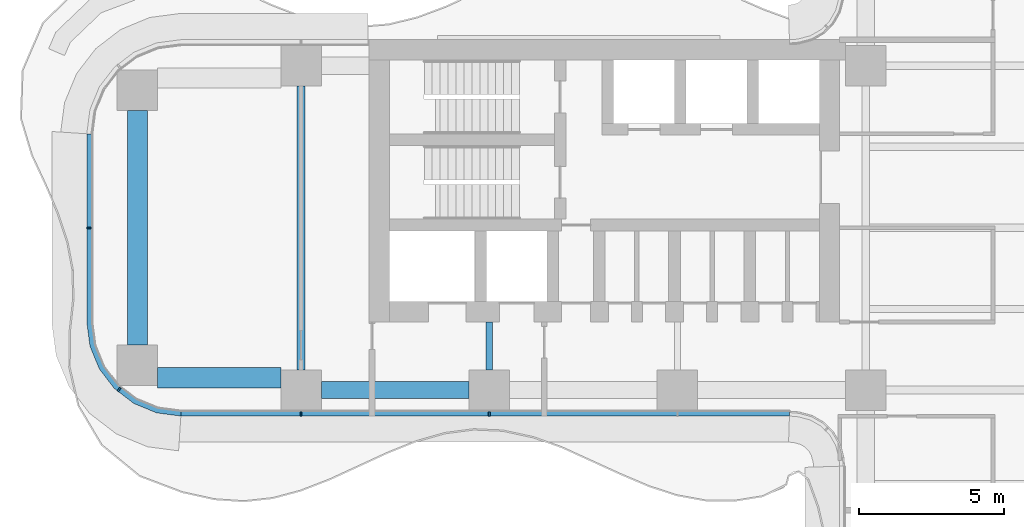
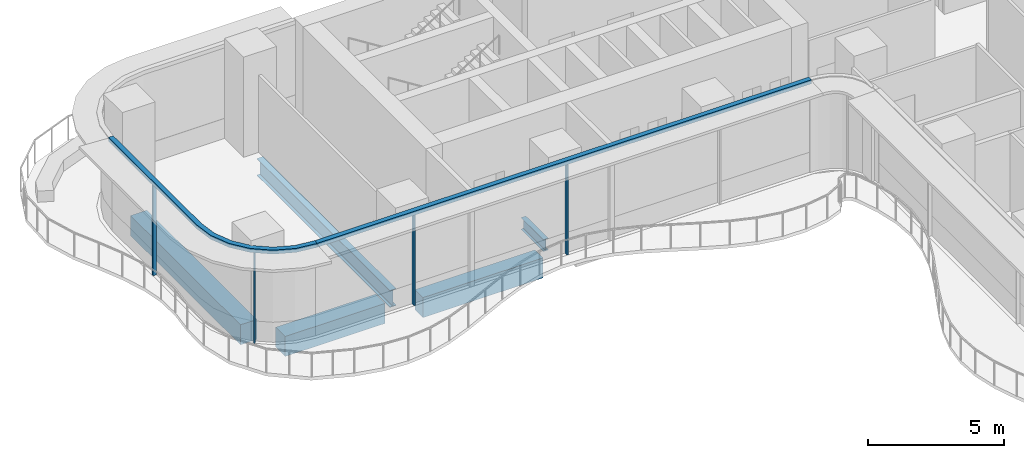
# One storey, part 3 of 22: 6 members, 5 beams, 2 elements without a shape of their own.
"""IFC4 building model written with IfcOpenShell, lengths in metres."""

from ifc_helpers import new_model, si_unit, direction, frame, origin, origin_2d, place, context, subcontext, project, spatial, polyline, rectangle, i_section, outline, extrude, source, transform, mapped, material, layer, layer_set, material_profile, profile_set, type_object, element, aggregate, save


model = new_model("IFC4")

# Units and contexts
model_context = context("Model", 3, precision=1e-05, world=origin(), true_north=direction((0.0, 1.0)))
body_context = subcontext(model_context, "Body", "Model", "MODEL_VIEW")
ifc_project = project(units=[si_unit("LENGTHUNIT", "METRE"), si_unit("AREAUNIT", "SQUARE_METRE"), si_unit("VOLUMEUNIT", "CUBIC_METRE"), si_unit("PLANEANGLEUNIT", "RADIAN"), si_unit("MASSUNIT", "GRAM", prefix="KILO")], contexts=[model_context])

# Site, building, storey
site_placement = place(None, origin())
site = spatial("IfcSite", under=ifc_project, at=site_placement, CompositionType="ELEMENT")
building_placement = place(site_placement, origin())
building = spatial("IfcBuilding", under=site, at=building_placement, Name="Trellis Farm Tower", CompositionType="ELEMENT")
storey_placement = place(building_placement, frame((0.0, 0.0, 56.5)))
storey = spatial("IfcBuildingStorey", under=building, at=storey_placement, Name="L11", CompositionType="ELEMENT", Elevation=56.5)

# Beams
ifc_material_1 = material(Name="Concrete C60/75", Category="concrete")
ifc_material_profile_1 = material_profile(ifc_material_1, rectangle(XDim=0.60009765625, YDim=0.89990234375, at=origin_2d()), Name="RC spandrel beam 600x900 C60/75")
ifc_profile_set_1 = profile_set([ifc_material_profile_1], Name="Concrete C60/75")
beam_type_1 = type_object("IfcBeamType", Name="RC spandrel beam 600x900 C60/75", PredefinedType="SPANDREL", material=ifc_profile_set_1)
shared_shape_1 = source(origin(), body_context, "Body", "SweptSolid", [
    extrude(rectangle(XDim=0.60009765625, YDim=0.89990234375, at=origin_2d()), origin(), (0.0, 0.0, 1.0), 5.099853515625),
])
beam_1_placement = place(storey_placement, frame((-24.39990234375, -5.60009765625, -0.699951171875), z_axis=(1.0, 0.0, 0.0), x_axis=(0.0, 1.0, 0.0)))
element("IfcBeam", 1, at=beam_1_placement, inside=storey, type_object=beam_type_1, Name="Girder", PredefinedType="SPANDREL", context=body_context, shape_type="MappedRepresentation", body=[
    mapped(shared_shape_1, transform((0.0, 0.0, 0.0))),
])
ifc_material_2 = material(Name="Steel S355", Category="steel")
ifc_material_profile_2 = material_profile(ifc_material_2, i_section(OverallWidth=0.2666015625, OverallDepth=0.76220703125, WebThickness=0.014404296875, FlangeThickness=0.021484375, FilletRadius=0.0166015625, at=origin_2d()), Name="UB 762x267x173")
ifc_profile_set_2 = profile_set([ifc_material_profile_2], Name="Steel S355")
beam_type_2 = type_object("IfcBeamType", Name="UB 762x267x173", PredefinedType="BEAM", material=ifc_profile_set_2)
shared_shape_2 = source(origin(), body_context, "Body", "SweptSolid", [
    extrude(i_section(OverallWidth=0.2666015625, OverallDepth=0.76220703125, WebThickness=0.014404296875, FlangeThickness=0.021484375, FilletRadius=0.0166015625, at=origin_2d()), origin(), (0.0, 0.0, 1.0), 9.7998046875),
])
beam_2_placement = place(storey_placement, frame((-25.10009765625, -4.89990234375, -0.631103515625), z_axis=(0.0, 1.0, 0.0), x_axis=(-1.0, 0.0, 0.0)))
element("IfcBeam", 2, at=beam_2_placement, inside=storey, type_object=beam_type_2, Name="Girder", PredefinedType="BEAM", context=body_context, shape_type="MappedRepresentation", body=[
    mapped(shared_shape_2, transform((0.0, 0.0, 0.0))),
])
ifc_material_profile_3 = material_profile(ifc_material_1, rectangle(XDim=0.699951171875, YDim=0.89990234375, at=origin_2d()), Name="RC spandrel beam 700x900 C60/75")
ifc_profile_set_3 = profile_set([ifc_material_profile_3], Name="Concrete C60/75")
beam_type_3 = type_object("IfcBeamType", Name="RC spandrel beam 700x900 C60/75", PredefinedType="SPANDREL", material=ifc_profile_set_3)
shared_shape_3 = source(origin(), body_context, "Body", "SweptSolid", [
    extrude(rectangle(XDim=0.699951171875, YDim=0.89990234375, at=origin_2d()), origin(), (0.0, 0.0, 1.0), 4.25),
])
beam_3_placement = place(storey_placement, frame((-30.050048828125, -5.175048828125, -0.699951171875), z_axis=(1.0, 0.0, 0.0), x_axis=(0.0, 1.0, 0.0)))
element("IfcBeam", 3, at=beam_3_placement, inside=storey, type_object=beam_type_3, Name="Girder", PredefinedType="SPANDREL", context=body_context, shape_type="MappedRepresentation", body=[
    mapped(shared_shape_3, transform((0.0, 0.0, 0.0))),
])
shared_shape_4 = source(origin(), body_context, "Body", "SweptSolid", [
    extrude(rectangle(XDim=0.699951171875, YDim=0.89990234375, at=origin_2d()), origin(), (0.0, 0.0, 1.0), 8.10009765625),
])
beam_4_placement = place(storey_placement, frame((-30.75, -4.050048828125, -0.699951171875), z_axis=(0.0, 1.0, 0.0), x_axis=(-1.0, 0.0, 0.0)))
element("IfcBeam", 4, at=beam_4_placement, inside=storey, type_object=beam_type_3, Name="Girder", PredefinedType="SPANDREL", context=body_context, shape_type="MappedRepresentation", body=[
    mapped(shared_shape_4, transform((0.0, 0.0, 0.0))),
])
ifc_material_profile_4 = material_profile(ifc_material_2, i_section(OverallWidth=0.209228515625, OverallDepth=0.533203125, WebThickness=0.010009765625, FlangeThickness=0.015625, FilletRadius=0.0126953125, at=origin_2d()), Name="UB 533x210x92")
ifc_profile_set_4 = profile_set([ifc_material_profile_4], Name="Steel S355")
beam_type_4 = type_object("IfcBeamType", Name="UB 533x210x92", PredefinedType="BEAM", material=ifc_profile_set_4)
shared_shape_5 = source(origin(), body_context, "Body", "SweptSolid", [
    extrude(i_section(OverallWidth=0.209228515625, OverallDepth=0.533203125, WebThickness=0.010009765625, FlangeThickness=0.015625, FilletRadius=0.0126953125, at=origin_2d()), origin(), (0.0, 0.0, 1.0), 1.64990234375),
])
beam_5_placement = place(storey_placement, frame((-18.60009765625, -4.89990234375, -0.5166015625), z_axis=(0.0, 1.0, 0.0), x_axis=(-1.0, 0.0, 0.0)))
element("IfcBeam", 5, at=beam_5_placement, inside=storey, type_object=beam_type_4, Name="Girder", PredefinedType="BEAM", context=body_context, shape_type="MappedRepresentation", body=[
    mapped(shared_shape_5, transform((0.0, 0.0, 0.0))),
])

# Curtain wall, members
ifc_material_3 = material(Name="Aluminium and glass curtain wall", Category="aluminium")
ifc_layer_1 = layer(ifc_material_3, 0.18994140625)
ifc_layer_set_1 = layer_set([ifc_layer_1], Name="RIBBON CURTAIN WALL CW1")
curtain_wall_type = type_object("IfcCurtainWallType", Name="RIBBON CURTAIN WALL CW1", PredefinedType="NOTDEFINED", material=ifc_layer_set_1)
placement_1 = place(storey_placement, origin())
curtain_wall_1 = element("IfcCurtainWall", 6, at=placement_1, inside=storey, type_object=curtain_wall_type, Name="CW1 001", PredefinedType="NOTDEFINED")
ifc_material_4 = material(Name="Aluminium extrusion 6063-T6", Category="aluminium")
ifc_material_profile_5 = material_profile(ifc_material_4, rectangle(XDim=0.06005859375, YDim=0.14990234375, at=origin_2d()), Name="MULLION 60x150")
ifc_profile_set_5 = profile_set([ifc_material_profile_5], Name="Aluminium extrusion 6063-T6")
member_type_1 = type_object("IfcMemberType", Name="CW1 MULLION 60x150", PredefinedType="MULLION", material=ifc_profile_set_5)
shared_shape_6 = source(origin(), body_context, "Body", "SweptSolid", [
    extrude(rectangle(XDim=0.06005859375, YDim=0.14990234375, at=origin_2d()), origin(), (0.0, 0.0, 1.0), 4.070068359375),
])
member_1_placement = place(storey_placement, frame((-25.10009765625, -6.425048828125, 0.0), z_axis=(0.0, 0.0, 1.0), x_axis=(1.0, 0.0, 0.0)))
member_1 = element("IfcMember", 7, at=member_1_placement, type_object=member_type_1, Name="MU1 001-01", PredefinedType="MULLION", context=body_context, shape_type="MappedRepresentation", body=[
    mapped(shared_shape_6, transform((0.0, 0.0, 0.0))),
])
member_2_placement = place(storey_placement, frame((-18.60009765625, -6.425048828125, 0.0), z_axis=(0.0, 0.0, 1.0), x_axis=(1.0, 0.0, 0.0)))
member_2 = element("IfcMember", 8, at=member_2_placement, type_object=member_type_1, Name="MU1 001-02", PredefinedType="MULLION", context=body_context, shape_type="MappedRepresentation", body=[
    mapped(shared_shape_6, transform((0.0, 0.0, 0.0))),
])

curtain_wall_2 = element("IfcCurtainWall", 9, at=placement_1, inside=storey, type_object=curtain_wall_type, Name="CW1 013", PredefinedType="NOTDEFINED")
member_3_placement = place(storey_placement, frame((-32.425048828125, 0.0, 0.0), z_axis=(0.0, 0.0, 1.0), x_axis=(0.0, -1.0, 0.0)))
member_3 = element("IfcMember", 10, at=member_3_placement, type_object=member_type_1, Name="MU1 013-01", PredefinedType="MULLION", context=body_context, shape_type="MappedRepresentation", body=[
    mapped(shared_shape_6, transform((0.0, 0.0, 0.0))),
])
member_4_placement = place(storey_placement, frame((-31.385498046875, -5.578369140625, 0.0), z_axis=(0.0, 0.0, 1.0), x_axis=(0.793353340291, -0.608761429009, 0.0)))
member_4 = element("IfcMember", 11, at=member_4_placement, type_object=member_type_1, Name="MU1 013-02", PredefinedType="MULLION", context=body_context, shape_type="MappedRepresentation", body=[
    mapped(shared_shape_6, transform((0.0, 0.0, 0.0))),
])

# Member
ifc_layer_2 = layer(ifc_material_4, 0.199951171875)
ifc_layer_set_2 = layer_set([ifc_layer_2], Name="Aluminium extrusion 6063-T6")
member_type_2 = type_object("IfcMemberType", Name="CW1 TRANSOM 200x180", PredefinedType="USERDEFINED", material=ifc_layer_set_2)
shared_shape_7 = source(origin(), body_context, "Body", "SweptSolid", [
    extrude(outline(polyline([(-29.25, -6.5), (-8.2314453125, -6.5), (-8.224853515625, -6.300048828125), (-29.23681640625, -6.300048828125), (-29.25, -6.5)])), origin(), (0.0, 0.0, 1.0), 0.179931640625),
])
placement_2 = place(storey_placement, frame((0.0, 0.0, 4.070068359375)))
member_5 = element("IfcMember", 12, at=placement_2, type_object=member_type_2, Name="TR1 001", ObjectType="TRANSOM", PredefinedType="USERDEFINED", context=body_context, shape_type="MappedRepresentation", body=[
    mapped(shared_shape_7, transform((0.0, 0.0, 0.0))),
])

aggregate(curtain_wall_1, [member_1, member_2, member_5])

shared_shape_8 = source(origin(), body_context, "Body", "SweptSolid", [
    extrude(outline(polyline([(-32.5, 3.25), (-32.5, -3.25), (-32.38916015625, -4.091064453125), (-32.064697265625, -4.875), (-31.548095703125, -5.548095703125), (-30.875, -6.064697265625), (-30.091064453125, -6.38916015625), (-29.25, -6.5), (-29.23681640625, -6.300048828125), (-30.0390625, -6.1943359375), (-30.774169921875, -5.889892578125), (-31.405517578125, -5.405517578125), (-31.889892578125, -4.774169921875), (-32.1943359375, -4.0390625), (-32.300048828125, -3.23681640625), (-32.300048828125, 3.23681640625), (-32.5, 3.25)])), origin(), (0.0, 0.0, 1.0), 0.179931640625),
])
member_6 = element("IfcMember", 13, at=placement_2, type_object=member_type_2, Name="TR1 013", ObjectType="TRANSOM", PredefinedType="USERDEFINED", context=body_context, shape_type="MappedRepresentation", body=[
    mapped(shared_shape_8, transform((0.0, 0.0, 0.0))),
])

aggregate(curtain_wall_2, [member_3, member_4, member_6])

save(model, "model.ifc")
